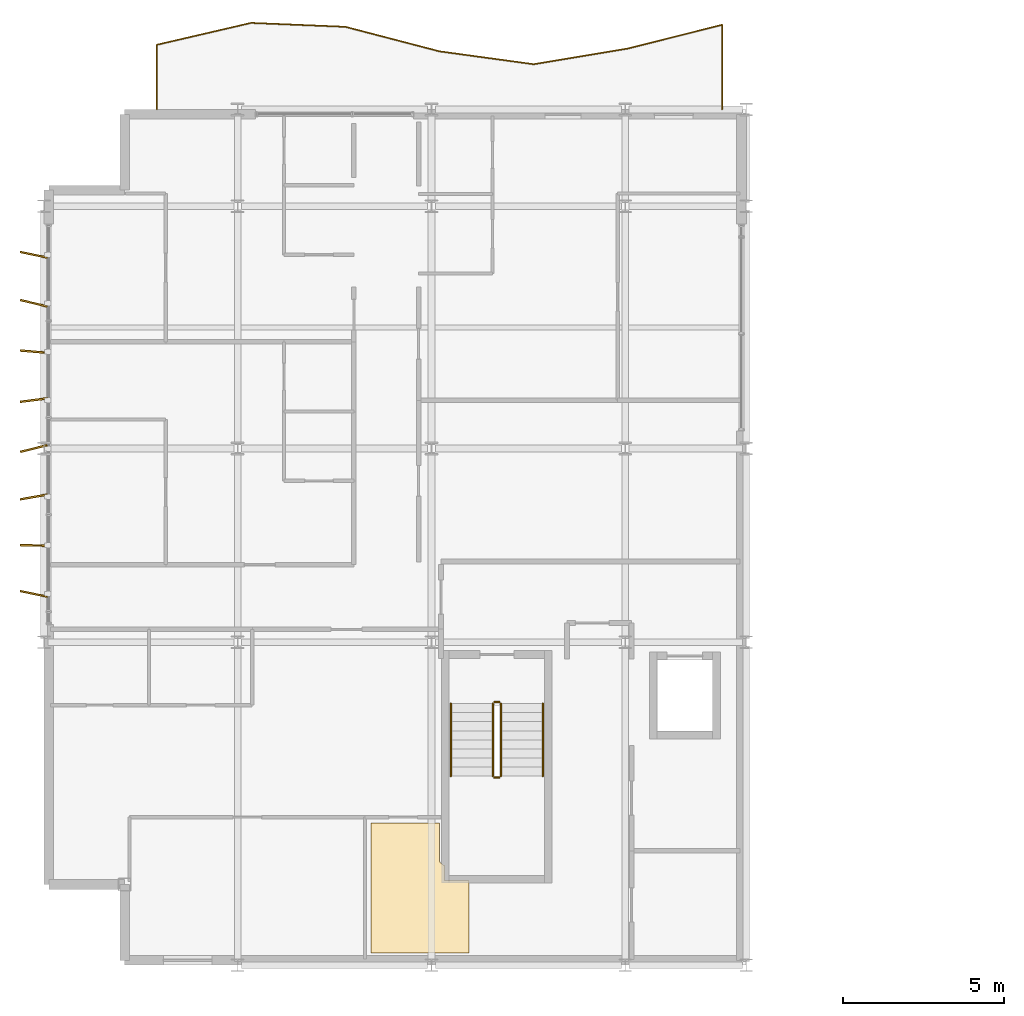
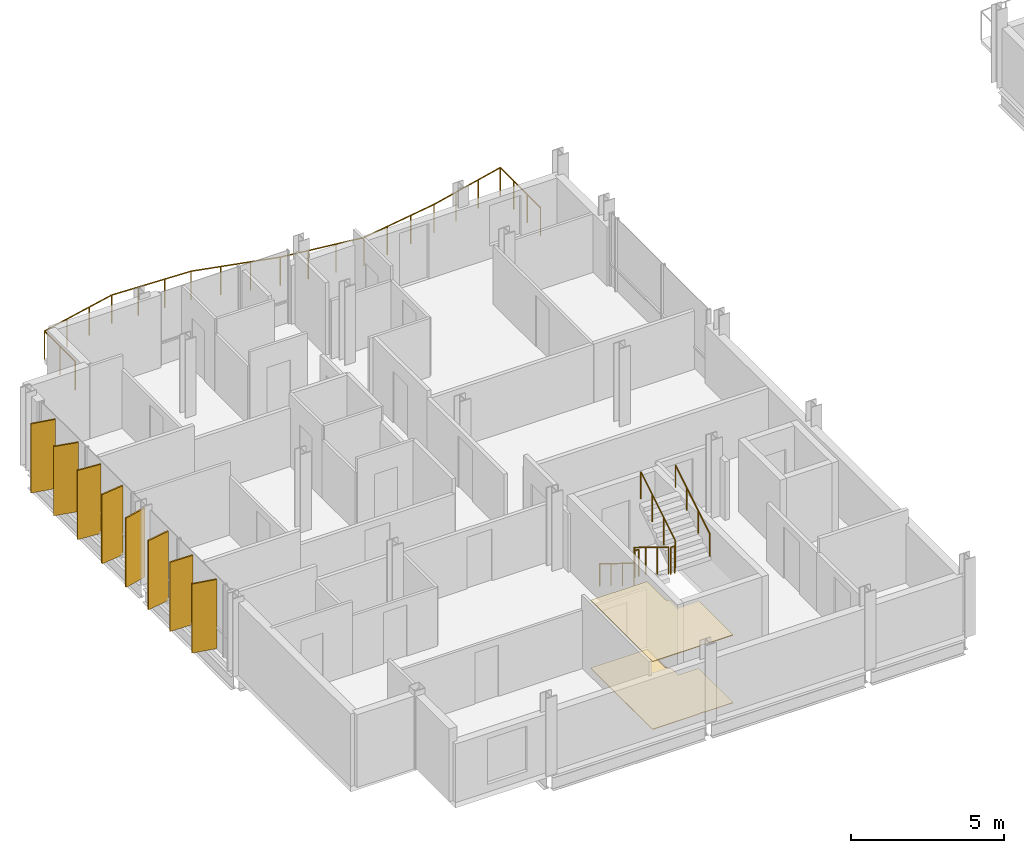
# One storey, part 28 of 29: 8 shading devices, 7 railings, 2 coverings.
"""IFC4 building model written with IfcOpenShell, lengths in metres."""

from ifc_helpers import new_model, si_unit, direction, frame, origin, origin_2d, place, context, subcontext, project, spatial, polyline, rectangle, circle, outline, extrude, material, layer, layer_set, type_object, element, save


model = new_model("IFC4")

# Units and contexts
model_context = context("Model", 3, precision=1e-05, world=origin(), true_north=direction((0.0, 1.0)))
body_context = subcontext(model_context, "Body", "Model", "MODEL_VIEW")
ifc_project = project(units=[si_unit("LENGTHUNIT", "METRE"), si_unit("AREAUNIT", "SQUARE_METRE"), si_unit("VOLUMEUNIT", "CUBIC_METRE"), si_unit("PLANEANGLEUNIT", "RADIAN"), si_unit("MASSUNIT", "GRAM", prefix="KILO")], contexts=[model_context])

# Site, building, storey
site_placement = place(None, origin())
site = spatial("IfcSite", under=ifc_project, at=site_placement, CompositionType="ELEMENT")
building_placement = place(site_placement, origin())
building = spatial("IfcBuilding", under=site, at=building_placement, Name="Brevholm Reach", CompositionType="ELEMENT")
storey_placement = place(building_placement, frame((0.0, 0.0, 198.699951171875)))
storey = spatial("IfcBuildingStorey", under=building, at=storey_placement, Name="L60", CompositionType="ELEMENT", Elevation=198.699951171875)

# Coverings
ifc_material_1 = material(Name="Moisture-Resistant Skimmed Gypsum Plasterboard Ceiling", Category="gypsum")
ifc_layer_1 = layer(ifc_material_1, 0.030029296875)
ifc_layer_set_1 = layer_set([ifc_layer_1], Name="Moisture-Resistant Skimmed Gypsum Plasterboard Ceiling")
covering_type_1 = type_object("IfcCoveringType", Name="COV-CLG-GYP", PredefinedType="CEILING", material=ifc_layer_set_1)
covering_1_placement = place(storey_placement, frame((0.0, 0.0, 2.68994140625)))
element("IfcCovering", 1, at=covering_1_placement, inside=storey, type_object=covering_type_1, Name="L60 Suspended Ceiling L60-26", PredefinedType="CEILING", context=body_context, shape_type="SweptSolid", body=[
    extrude(outline(polyline([(12.24609375, 4.406005859375), (12.24658203125, 3.277587890625), (12.24755859375, 3.260009765625), (12.250244140625, 3.24267578125), (12.25439453125, 3.2255859375), (12.260498046875, 3.208984375), (12.267822265625, 3.193115234375), (12.277099609375, 3.177978515625), (12.28759765625, 3.163818359375), (12.29931640625, 3.150634765625), (12.3125, 3.138916015625), (12.326416015625, 3.128173828125), (12.341796875, 3.119140625), (12.357666015625, 3.111572265625), (12.374267578125, 3.105712890625), (12.391357421875, 3.101318359375), (12.39990234375, 3.10009765625), (12.39990234375, 2.6298828125), (13.166015625, 2.6298828125), (13.166015625, 0.3798828125), (12.123779296875, 0.3798828125), (12.1162109375, 0.3828125), (12.077880859375, 0.392333984375), (12.039306640625, 0.398193359375), (12.0, 0.39990234375), (11.960693359375, 0.398193359375), (11.922119140625, 0.392333984375), (11.8837890625, 0.3828125), (11.876220703125, 0.3798828125), (10.1298828125, 0.3798828125), (10.1298828125, 4.406005859375), (12.24609375, 4.406005859375)])), origin(), (0.0, 0.0, 1.0), 0.030029296875),
])
ifc_material_2 = material(Name="Engineered European Oak Acoustic Plank Flooring", Category="timber")
ifc_layer_2 = layer(ifc_material_2, 0.02197265625)
ifc_layer_set_2 = layer_set([ifc_layer_2], Name="Engineered European Oak Acoustic Plank Flooring")
covering_type_2 = type_object("IfcCoveringType", Name="COV-FLR-OAK", PredefinedType="FLOORING", material=ifc_layer_set_2)
covering_2_placement = place(storey_placement, origin())
element("IfcCovering", 2, at=covering_2_placement, inside=storey, type_object=covering_type_2, Name="L60 Floor Finish L60-26", PredefinedType="FLOORING", context=body_context, shape_type="SweptSolid", body=[
    extrude(outline(polyline([(12.24609375, 4.406005859375), (12.24658203125, 3.277587890625), (12.24755859375, 3.260009765625), (12.250244140625, 3.24267578125), (12.25439453125, 3.2255859375), (12.260498046875, 3.208984375), (12.267822265625, 3.193115234375), (12.277099609375, 3.177978515625), (12.28759765625, 3.163818359375), (12.29931640625, 3.150634765625), (12.3125, 3.138916015625), (12.326416015625, 3.128173828125), (12.341796875, 3.119140625), (12.357666015625, 3.111572265625), (12.374267578125, 3.105712890625), (12.391357421875, 3.101318359375), (12.39990234375, 3.10009765625), (12.39990234375, 2.6298828125), (13.166015625, 2.6298828125), (13.166015625, 0.3798828125), (12.123779296875, 0.3798828125), (12.1162109375, 0.3828125), (12.077880859375, 0.392333984375), (12.039306640625, 0.398193359375), (12.0, 0.39990234375), (11.960693359375, 0.398193359375), (11.922119140625, 0.392333984375), (11.8837890625, 0.3828125), (11.876220703125, 0.3798828125), (10.1298828125, 0.3798828125), (10.1298828125, 4.406005859375), (12.24609375, 4.406005859375)])), origin(), (0.0, 0.0, 1.0), 0.02197265625),
])

# Railings
ifc_material_3 = material(Name="Brushed Stainless Steel EN 1.4401 and Laminated Glass", Category="steel")
railing_type_1 = type_object("IfcRailingType", Name="RAL-BALC-1150", PredefinedType="BALUSTRADE", material=ifc_material_3)
railing_1_placement = place(storey_placement, frame((21.0, 26.5, 0.0)))
element("IfcRailing", 3, at=railing_1_placement, inside=storey, type_object=railing_type_1, Name="L60 Guard Balustrade RAL-L60-BAL-NW", PredefinedType="BALUSTRADE", context=body_context, shape_type="SweptSolid", body=[
    extrude(circle(Radius=0.02392578125, at=origin_2d()), frame((0.0, 0.0, 1.1259765625), z_axis=(0.0, 1.0, 0.0), x_axis=(-1.0, 0.0, 0.0)), (0.0, 0.0, 1.0), 2.62109375),
    extrude(circle(Radius=0.02392578125, at=origin_2d()), frame((0.0, 2.62109375, 1.1259765625), z_axis=(-0.969908046993, -0.243471518618, 0.0), x_axis=(0.243471518618, -0.969908046993, 0.0)), (0.0, 0.0, 1.0), 3.00732421875),
    extrude(circle(Radius=0.02392578125, at=origin_2d()), frame((-2.916748046875, 1.888916015625, 1.1259765625), z_axis=(-0.986326897089, -0.164800643445, 0.0), x_axis=(0.164800643445, -0.986326897089, 0.0)), (0.0, 0.0, 1.0), 2.95703125),
    extrude(circle(Radius=0.02392578125, at=origin_2d()), frame((-5.833251953125, 1.401611328125, 1.1259765625), z_axis=(-0.990776091279, 0.135509176626, 0.0), x_axis=(-0.135509176626, -0.990776091279, 0.0)), (0.0, 0.0, 1.0), 2.94384765625),
    extrude(circle(Radius=0.02392578125, at=origin_2d()), frame((-8.75, 1.800537109375, 1.1259765625), z_axis=(-0.967688627029, 0.252148212601, 0.0), x_axis=(-0.252148212601, -0.967688627029, 0.0)), (0.0, 0.0, 1.0), 3.01416015625),
    extrude(circle(Radius=0.02392578125, at=origin_2d()), frame((-11.666748046875, 2.560546875, 1.1259765625), z_axis=(-0.999139150441, 0.041484431493, 0.0), x_axis=(-0.041484431493, -0.999139150441, 0.0)), (0.0, 0.0, 1.0), 2.9189453125),
    extrude(circle(Radius=0.02392578125, at=origin_2d()), frame((-14.583251953125, 2.681640625, 1.1259765625), z_axis=(-0.974086615793, -0.226175296912, 0.0), x_axis=(0.226175296912, -0.974086615793, 0.0)), (0.0, 0.0, 1.0), 2.994384765625),
    extrude(circle(Radius=0.02392578125, at=origin_2d()), frame((-17.5, 2.00439453125, 1.1259765625), z_axis=(0.0, -1.0, 0.0), x_axis=(1.0, 0.0, 0.0)), (0.0, 0.0, 1.0), 2.00439453125),
    extrude(circle(Radius=0.02099609375, at=origin_2d()), origin(), (0.0, 0.0, 1.0), 1.101806640625),
    extrude(circle(Radius=0.02099609375, at=origin_2d()), frame((0.0, 0.873779296875, 0.0)), (0.0, 0.0, 1.0), 1.101806640625),
    extrude(circle(Radius=0.02099609375, at=origin_2d()), frame((0.0, 1.747314453125, 0.0)), (0.0, 0.0, 1.0), 1.101806640625),
    extrude(circle(Radius=0.02099609375, at=origin_2d()), frame((0.0, 2.62109375, 0.0)), (0.0, 0.0, 1.0), 1.101806640625),
    extrude(circle(Radius=0.02099609375, at=origin_2d()), frame((-0.97216796875, 2.376953125, 0.0)), (0.0, 0.0, 1.0), 1.101806640625),
    extrude(circle(Radius=0.02099609375, at=origin_2d()), frame((-1.944580078125, 2.133056640625, 0.0)), (0.0, 0.0, 1.0), 1.101806640625),
    extrude(circle(Radius=0.02099609375, at=origin_2d()), frame((-2.916748046875, 1.888916015625, 0.0)), (0.0, 0.0, 1.0), 1.101806640625),
    extrude(circle(Radius=0.02099609375, at=origin_2d()), frame((-3.888916015625, 1.7265625, 0.0)), (0.0, 0.0, 1.0), 1.101806640625),
    extrude(circle(Radius=0.02099609375, at=origin_2d()), frame((-4.861083984375, 1.56396484375, 0.0)), (0.0, 0.0, 1.0), 1.101806640625),
    extrude(circle(Radius=0.02099609375, at=origin_2d()), frame((-5.833251953125, 1.401611328125, 0.0)), (0.0, 0.0, 1.0), 1.101806640625),
    extrude(circle(Radius=0.02099609375, at=origin_2d()), frame((-6.805419921875, 1.53466796875, 0.0)), (0.0, 0.0, 1.0), 1.101806640625),
    extrude(circle(Radius=0.02099609375, at=origin_2d()), frame((-7.77783203125, 1.66748046875, 0.0)), (0.0, 0.0, 1.0), 1.101806640625),
    extrude(circle(Radius=0.02099609375, at=origin_2d()), frame((-8.75, 1.800537109375, 0.0)), (0.0, 0.0, 1.0), 1.101806640625),
    extrude(circle(Radius=0.02099609375, at=origin_2d()), frame((-9.72216796875, 2.053955078125, 0.0)), (0.0, 0.0, 1.0), 1.101806640625),
    extrude(circle(Radius=0.02099609375, at=origin_2d()), frame((-10.694580078125, 2.30712890625, 0.0)), (0.0, 0.0, 1.0), 1.101806640625),
    extrude(circle(Radius=0.02099609375, at=origin_2d()), frame((-11.666748046875, 2.560546875, 0.0)), (0.0, 0.0, 1.0), 1.101806640625),
    extrude(circle(Radius=0.02099609375, at=origin_2d()), frame((-12.638916015625, 2.600830078125, 0.0)), (0.0, 0.0, 1.0), 1.101806640625),
    extrude(circle(Radius=0.02099609375, at=origin_2d()), frame((-13.611083984375, 2.641357421875, 0.0)), (0.0, 0.0, 1.0), 1.101806640625),
    extrude(circle(Radius=0.02099609375, at=origin_2d()), frame((-14.583251953125, 2.681640625, 0.0)), (0.0, 0.0, 1.0), 1.101806640625),
    extrude(circle(Radius=0.02099609375, at=origin_2d()), frame((-15.555419921875, 2.455810546875, 0.0)), (0.0, 0.0, 1.0), 1.101806640625),
    extrude(circle(Radius=0.02099609375, at=origin_2d()), frame((-16.52783203125, 2.230224609375, 0.0)), (0.0, 0.0, 1.0), 1.101806640625),
    extrude(circle(Radius=0.02099609375, at=origin_2d()), frame((-17.5, 2.00439453125, 0.0)), (0.0, 0.0, 1.0), 1.101806640625),
    extrude(circle(Radius=0.02099609375, at=origin_2d()), frame((-17.5, 1.002197265625, 0.0)), (0.0, 0.0, 1.0), 1.101806640625),
    extrude(circle(Radius=0.02099609375, at=origin_2d()), frame((-17.5, 0.0, 0.0)), (0.0, 0.0, 1.0), 1.101806640625),
])
ifc_material_4 = material(Name="Brushed Stainless Steel EN 1.4401 Continuous Handrail", Category="steel")
railing_type_2 = type_object("IfcRailingType", Name="RAL-HND-950", PredefinedType="HANDRAIL", material=ifc_material_4)
railing_2_placement = place(storey_placement, frame((12.60009765625, 8.10009765625, 0.17236328125)))
element("IfcRailing", 4, at=railing_2_placement, inside=storey, type_object=railing_type_2, Name="L60 ST-1 stair handrail 1", PredefinedType="HANDRAIL", context=body_context, shape_type="SweptSolid", body=[
    extrude(circle(Radius=0.02392578125, at=origin_2d()), frame((0.0, 0.0, 0.8857421875), z_axis=(0.0, -0.85178898068, 0.523885037382), x_axis=(1.0, 0.0, 0.0)), (0.0, 0.0, 1.0), 2.629638671875),
    extrude(circle(Radius=0.02099609375, at=origin_2d()), origin(), (0.0, 0.0, 1.0), 0.86181640625),
    extrude(circle(Radius=0.02099609375, at=origin_2d()), frame((0.0, -0.74658203125, 0.459228515625)), (0.0, 0.0, 1.0), 0.86181640625),
    extrude(circle(Radius=0.02099609375, at=origin_2d()), frame((0.0, -1.493408203125, 0.91845703125)), (0.0, 0.0, 1.0), 0.86181640625),
    extrude(circle(Radius=0.02099609375, at=origin_2d()), frame((0.0, -2.239990234375, 1.377685546875)), (0.0, 0.0, 1.0), 0.86181640625),
])
railing_3_placement = place(storey_placement, frame((15.449951171875, 5.860107421875, 1.72216796875)))
element("IfcRailing", 5, at=railing_3_placement, inside=storey, type_object=railing_type_2, Name="L60 ST-1 stair handrail 2", PredefinedType="HANDRAIL", context=body_context, shape_type="SweptSolid", body=[
    extrude(circle(Radius=0.02392578125, at=origin_2d()), frame((0.0, 0.0, 0.8857421875), z_axis=(0.0, 0.851747552033, 0.523952390591), x_axis=(-1.0, 0.0, 0.0)), (0.0, 0.0, 1.0), 2.6298828125),
    extrude(circle(Radius=0.02099609375, at=origin_2d()), origin(), (0.0, 0.0, 1.0), 0.86181640625),
    extrude(circle(Radius=0.02099609375, at=origin_2d()), frame((0.0, 0.74658203125, 0.459228515625)), (0.0, 0.0, 1.0), 0.86181640625),
    extrude(circle(Radius=0.02099609375, at=origin_2d()), frame((0.0, 1.493408203125, 0.918701171875)), (0.0, 0.0, 1.0), 0.86181640625),
    extrude(circle(Radius=0.02099609375, at=origin_2d()), frame((0.0, 2.239990234375, 1.3779296875)), (0.0, 0.0, 1.0), 0.86181640625),
])
ifc_material_5 = material(Name="Painted Tubular Galvanised Steel S275JR Stair Guard", Category="steel")
railing_type_3 = type_object("IfcRailingType", Name="RAL-STG-1120", PredefinedType="BALUSTRADE", material=ifc_material_5)
railing_4_placement = place(storey_placement, frame((13.89990234375, 8.10009765625, 0.17236328125)))
element("IfcRailing", 6, at=railing_4_placement, inside=storey, type_object=railing_type_3, Name="L60 ST-1 stair guard 1", PredefinedType="BALUSTRADE", context=body_context, shape_type="SweptSolid", body=[
    extrude(circle(Radius=0.02392578125, at=origin_2d()), frame((0.0, 0.0, 1.076171875), z_axis=(0.0, -0.85178898068, 0.523885037382), x_axis=(1.0, 0.0, 0.0)), (0.0, 0.0, 1.0), 2.629638671875),
    extrude(circle(Radius=0.02099609375, at=origin_2d()), origin(), (0.0, 0.0, 1.0), 1.052001953125),
    extrude(circle(Radius=0.02099609375, at=origin_2d()), frame((0.0, -0.74658203125, 0.459228515625)), (0.0, 0.0, 1.0), 1.052001953125),
    extrude(circle(Radius=0.02099609375, at=origin_2d()), frame((0.0, -1.493408203125, 0.91845703125)), (0.0, 0.0, 1.0), 1.052001953125),
    extrude(circle(Radius=0.02099609375, at=origin_2d()), frame((0.0, -2.239990234375, 1.377685546875)), (0.0, 0.0, 1.0), 1.052001953125),
])
railing_5_placement = place(storey_placement, frame((13.949951171875, 5.81005859375, 1.550048828125)))
element("IfcRailing", 7, at=railing_5_placement, inside=storey, type_object=railing_type_3, Name="L60 ST-1 stair guard 2", PredefinedType="BALUSTRADE", context=body_context, shape_type="SweptSolid", body=[
    extrude(circle(Radius=0.02392578125, at=origin_2d()), frame((0.0, 0.0, 1.076171875), z_axis=(1.0, 0.0, 0.0), x_axis=(0.0, 1.0, 0.0)), (0.0, 0.0, 1.0), 0.150146484375),
    extrude(circle(Radius=0.02099609375, at=origin_2d()), origin(), (0.0, 0.0, 1.0), 1.052001953125),
    extrude(circle(Radius=0.02099609375, at=origin_2d()), frame((0.150146484375, 0.0, 0.0)), (0.0, 0.0, 1.0), 1.052001953125),
])
railing_6_placement = place(storey_placement, frame((14.14990234375, 5.860107421875, 1.72216796875)))
element("IfcRailing", 8, at=railing_6_placement, inside=storey, type_object=railing_type_3, Name="L60 ST-1 stair guard 3", PredefinedType="BALUSTRADE", context=body_context, shape_type="SweptSolid", body=[
    extrude(circle(Radius=0.02392578125, at=origin_2d()), frame((0.0, 0.0, 1.076171875), z_axis=(0.0, 0.851747552033, 0.523952390591), x_axis=(-1.0, 0.0, 0.0)), (0.0, 0.0, 1.0), 2.6298828125),
    extrude(circle(Radius=0.02099609375, at=origin_2d()), origin(), (0.0, 0.0, 1.0), 1.052001953125),
    extrude(circle(Radius=0.02099609375, at=origin_2d()), frame((0.0, 0.74658203125, 0.459228515625)), (0.0, 0.0, 1.0), 1.052001953125),
    extrude(circle(Radius=0.02099609375, at=origin_2d()), frame((0.0, 1.493408203125, 0.918701171875)), (0.0, 0.0, 1.0), 1.052001953125),
    extrude(circle(Radius=0.02099609375, at=origin_2d()), frame((0.0, 2.239990234375, 1.3779296875)), (0.0, 0.0, 1.0), 1.052001953125),
])
railing_7_placement = place(storey_placement, frame((13.949951171875, 8.14990234375, 0.0)))
element("IfcRailing", 9, at=railing_7_placement, inside=storey, type_object=railing_type_3, Name="L60 ST-1 stair guard 4", PredefinedType="BALUSTRADE", context=body_context, shape_type="SweptSolid", body=[
    extrude(circle(Radius=0.02392578125, at=origin_2d()), frame((0.0, 0.0, 1.076171875), z_axis=(1.0, 0.0, 0.0), x_axis=(0.0, 1.0, 0.0)), (0.0, 0.0, 1.0), 0.150146484375),
    extrude(circle(Radius=0.02099609375, at=origin_2d()), origin(), (0.0, 0.0, 1.0), 1.052001953125),
    extrude(circle(Radius=0.02099609375, at=origin_2d()), frame((0.150146484375, 0.0, 0.0)), (0.0, 0.0, 1.0), 1.052001953125),
])

# Shading devices
ifc_material_6 = material(Name="Perforated Champagne-Bronze Anodised Aluminium", Category="aluminium")
ifc_layer_3 = layer(ifc_material_6, 0.054931640625)
ifc_layer_set_3 = layer_set([ifc_layer_3], Name="Perforated Champagne-Bronze Anodised Aluminium")
shading_device_type = type_object("IfcShadingDeviceType", Name="SHD-FIN-850", PredefinedType="USERDEFINED", material=ifc_layer_set_3)
for number, where, z_axis, x_axis, name in (
    (10, (-0.31494140625, 11.5, 0.070068359375), (0.0, 0.0, 1.0), (-0.979176774439, 0.203009468743, 0.0), "L60 Perforated Solar Screen Fin 1"),
    (11, (-0.31494140625, 13.0, 0.070068359375), (0.0, 0.0, 1.0), (-0.999739431828, 0.022826923753, 0.0), "L60 Perforated Solar Screen Fin 2"),
    (12, (-0.31494140625, 14.5, 0.070068359375), (0.0, 0.0, 1.0), (-0.984558224472, -0.175057426647, 0.0), "L60 Perforated Solar Screen Fin 3"),
    (13, (-0.31494140625, 16.0, 0.070068359375), (0.0, 0.0, 1.0), (-0.970800277843, -0.239889183874, 0.0), "L60 Perforated Solar Screen Fin 4"),
    (14, (-0.31494140625, 17.5, 0.070068359375), (0.0, 0.0, 1.0), (-0.99205772475, -0.125783428015, 0.0), "L60 Perforated Solar Screen Fin 5"),
    (15, (-0.31494140625, 19.0, 0.070068359375), (0.0, 0.0, 1.0), (-0.996389883808, 0.084895226275, 0.0), "L60 Perforated Solar Screen Fin 6"),
    (16, (-0.31494140625, 20.5, 0.070068359375), (0.0, 0.0, 1.0), (-0.973186902435, 0.230015766697, 0.0), "L60 Perforated Solar Screen Fin 7"),
    (17, (-0.31494140625, 22.0, 0.070068359375), (0.0, 0.0, 1.0), (-0.979176774439, 0.203009468743, 0.0), "L60 Perforated Solar Screen Fin 8"),
):
    element("IfcShadingDevice", number, at=place(storey_placement, frame(where, z_axis=z_axis, x_axis=x_axis)), inside=storey, type_object=shading_device_type, Name=name, ObjectType="SCREEN", PredefinedType="USERDEFINED", context=body_context, shape_type="SweptSolid", body=[
        extrude(rectangle(XDim=0.85009765625, YDim=0.054931640625, at=origin_2d()), origin(), (0.0, 0.0, 1.0), 2.75),
    ])

save(model, "model.ifc")
